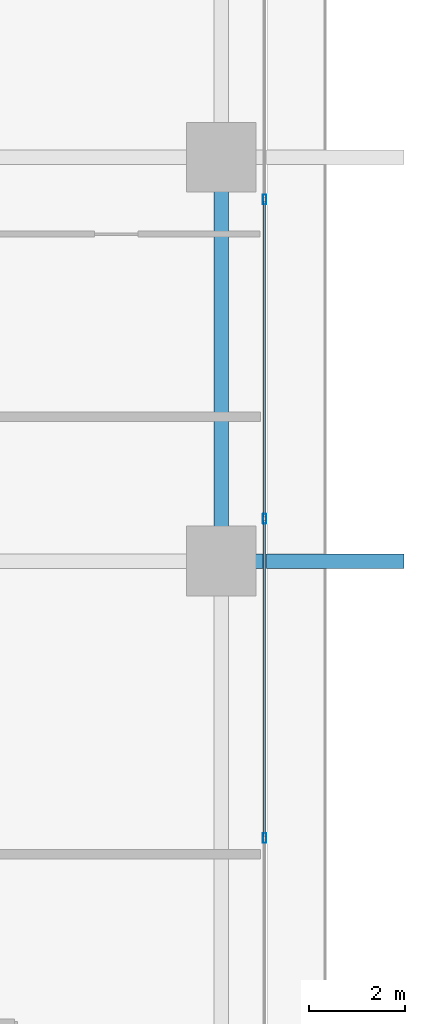
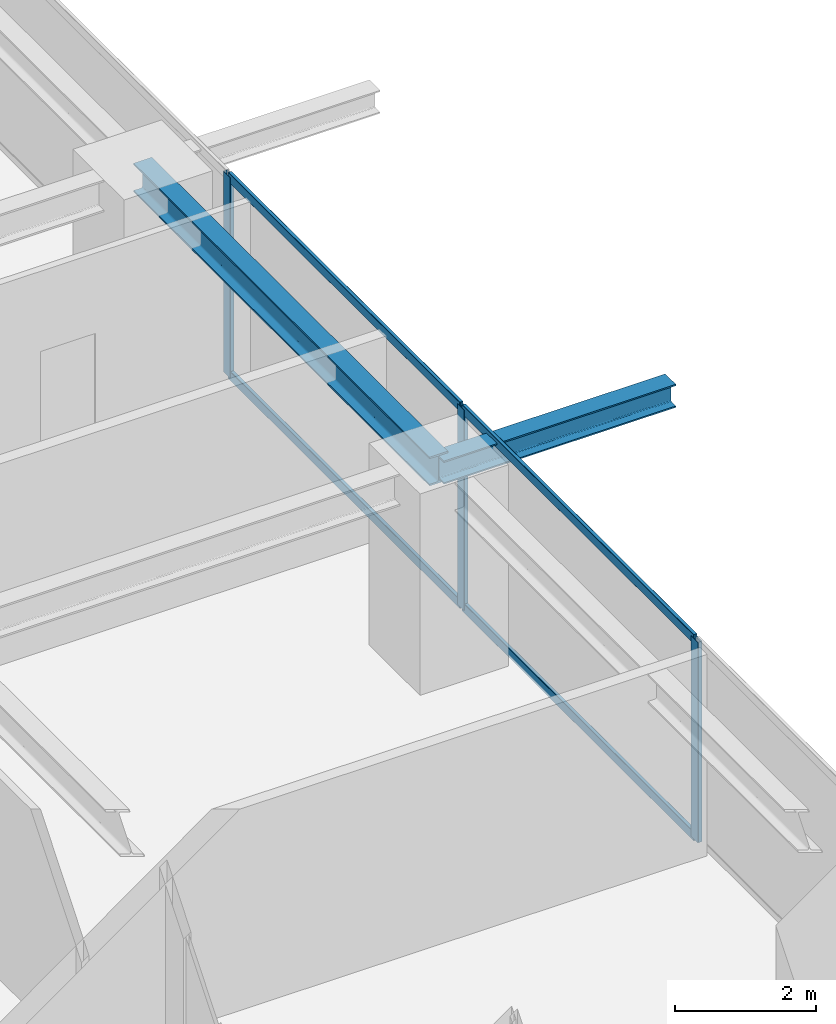
# One storey, part 14 of 39: 7 members, 2 beams, 1 element without a shape of its own.
"""IFC4 building model written with IfcOpenShell, lengths in metres."""

from ifc_helpers import new_model, si_unit, direction, frame, origin, origin_2d, place, context, subcontext, project, spatial, hollow_rectangle, i_section, extrude, source, transform, mapped, material, layer, layer_set, material_profile, profile_set, type_object, element, aggregate, save


model = new_model("IFC4")

# Units and contexts
model_context = context("Model", 3, precision=1e-05, world=origin(), true_north=direction((0.0, 1.0)))
body_context = subcontext(model_context, "Body", "Model", "MODEL_VIEW")
ifc_project = project(units=[si_unit("LENGTHUNIT", "METRE"), si_unit("AREAUNIT", "SQUARE_METRE"), si_unit("VOLUMEUNIT", "CUBIC_METRE"), si_unit("PLANEANGLEUNIT", "RADIAN"), si_unit("MASSUNIT", "GRAM", prefix="KILO")], contexts=[model_context])

# Site, building, storey
site_placement = place(None, origin())
site = spatial("IfcSite", under=ifc_project, at=site_placement, CompositionType="ELEMENT")
building_placement = place(site_placement, origin())
building = spatial("IfcBuilding", under=site, at=building_placement, Name="Serunith Strait Residences", CompositionType="ELEMENT")
storey_placement = place(building_placement, frame((0.0, 0.0, 60.449951171875)))
storey = spatial("IfcBuildingStorey", under=building, at=storey_placement, Name="L14", CompositionType="ELEMENT", Elevation=60.449951171875)

# Beams
ifc_material_1 = material(Name="Steel S355J2", Category="steel")
ifc_material_profile_1 = material_profile(ifc_material_1, i_section(OverallWidth=0.300048828125, OverallDepth=0.5, WebThickness=0.014404296875, FlangeThickness=0.028076171875, FilletRadius=0.027099609375, at=origin_2d()), Name="HEB 500")
ifc_profile_set_1 = profile_set([ifc_material_profile_1], Name="Steel S355J2")
beam_type_1 = type_object("IfcBeamType", Name="BM-HEB500", PredefinedType="BEAM", material=ifc_profile_set_1)
shared_shape_1 = source(origin(), body_context, "Body", "SweptSolid", [
    extrude(i_section(OverallWidth=0.300048828125, OverallDepth=0.5, WebThickness=0.014404296875, FlangeThickness=0.028076171875, FilletRadius=0.027099609375, at=origin_2d()), origin(), (0.0, 0.0, 1.0), 8.39990234375),
])
beam_1_placement = place(storey_placement, frame((57.89990234375, 21.0, 3.237060546875), z_axis=(0.0, 1.0, 0.0), x_axis=(-1.0, 0.0, 0.0)))
element("IfcBeam", 1, at=beam_1_placement, inside=storey, type_object=beam_type_1, Name="L14 Perimeter Ring Beam 06", PredefinedType="BEAM", context=body_context, shape_type="MappedRepresentation", body=[
    mapped(shared_shape_1, transform((0.0, 0.0, 0.0), scale=1.0)),
])
ifc_material_profile_2 = material_profile(ifc_material_1, i_section(OverallWidth=0.300048828125, OverallDepth=0.39990234375, WebThickness=0.013427734375, FlangeThickness=0.02392578125, FilletRadius=0.027099609375, at=origin_2d()), Name="HEB 400")
ifc_profile_set_2 = profile_set([ifc_material_profile_2], Name="Steel S355J2")
beam_type_2 = type_object("IfcBeamType", Name="BM-HEB400", PredefinedType="BEAM", material=ifc_profile_set_2)
shared_shape_2 = source(origin(), body_context, "Body", "SweptSolid", [
    extrude(i_section(OverallWidth=0.300048828125, OverallDepth=0.39990234375, WebThickness=0.013427734375, FlangeThickness=0.02392578125, FilletRadius=0.027099609375, at=origin_2d()), origin(), (0.0, 0.0, 1.0), 3.800048828125),
])
beam_2_placement = place(storey_placement, frame((57.89990234375, 21.0, 3.257080078125), z_axis=(1.0, 0.0, 0.0), x_axis=(0.0, 1.0, 0.0)))
element("IfcBeam", 2, at=beam_2_placement, inside=storey, type_object=beam_type_2, Name="L15 Cantilevered Balcony Rib TC-E2", PredefinedType="BEAM", context=body_context, shape_type="MappedRepresentation", body=[
    mapped(shared_shape_2, transform((0.0, 0.0, 0.0), scale=1.0)),
])

# Curtain wall, members
ifc_material_2 = material(Name="Pale-Champagne Anodised Aluminium", Category="aluminium")
ifc_layer = layer(ifc_material_2, 0.199951171875, Name="Pale-Champagne Anodised Aluminium")
ifc_layer_set = layer_set([ifc_layer], Name="Pale-Champagne Anodised Aluminium")
curtain_wall_type = type_object("IfcCurtainWallType", Name="CW-SYS1", PredefinedType="NOTDEFINED", material=ifc_layer_set)
curtain_wall_placement = place(storey_placement, origin())
curtain_wall = element("IfcCurtainWall", 3, at=curtain_wall_placement, inside=storey, type_object=curtain_wall_type, Name="L14 E Unitised Fritted Curtain Wall", PredefinedType="NOTDEFINED")
ifc_material_profile_3 = material_profile(ifc_material_2, hollow_rectangle(XDim=0.070068359375, YDim=0.199951171875, WallThickness=0.00390625, InnerFilletRadius=0.006103515625, OuterFilletRadius=0.010009765625, at=origin_2d()), Name="ALU 200x70x4")
ifc_profile_set_3 = profile_set([ifc_material_profile_3], Name="Pale-Champagne Anodised Aluminium")
member_type_1 = type_object("IfcMemberType", Name="CW-SYS1-MULL", PredefinedType="MULLION", material=ifc_profile_set_3)
shared_shape_3 = source(origin(), body_context, "Body", "SweptSolid", [
    extrude(hollow_rectangle(XDim=0.070068359375, YDim=0.199951171875, WallThickness=0.00390625, InnerFilletRadius=0.006103515625, OuterFilletRadius=0.010009765625, at=origin_2d()), origin(), (0.0, 0.0, 1.0), 3.47509765625),
])
member_1_placement = place(storey_placement, frame((58.800048828125, 15.239990234375, 0.0), z_axis=(0.0, 0.0, 1.0), x_axis=(-1.0, 0.0, 0.0)))
member_1 = element("IfcMember", 4, at=member_1_placement, type_object=member_type_1, Name="CW-1 mullion 2", PredefinedType="MULLION", context=body_context, shape_type="MappedRepresentation", body=[
    mapped(shared_shape_3, transform((0.0, 0.0, 0.0), scale=1.0)),
])
member_2_placement = place(storey_placement, frame((58.800048828125, 21.8798828125, 0.0), z_axis=(0.0, 0.0, 1.0), x_axis=(-1.0, 0.0, 0.0)))
member_2 = element("IfcMember", 5, at=member_2_placement, type_object=member_type_1, Name="CW-1 mullion 3", PredefinedType="MULLION", context=body_context, shape_type="MappedRepresentation", body=[
    mapped(shared_shape_3, transform((0.0, 0.0, 0.0), scale=1.0)),
])
member_3_placement = place(storey_placement, frame((58.800048828125, 28.52001953125, 0.0), z_axis=(0.0, 0.0, 1.0), x_axis=(-1.0, 0.0, 0.0)))
member_3 = element("IfcMember", 6, at=member_3_placement, type_object=member_type_1, Name="CW-1 mullion 4", PredefinedType="MULLION", context=body_context, shape_type="MappedRepresentation", body=[
    mapped(shared_shape_3, transform((0.0, 0.0, 0.0), scale=1.0)),
])
ifc_material_profile_4 = material_profile(ifc_material_2, hollow_rectangle(XDim=0.06005859375, YDim=0.159912109375, WallThickness=0.00341796875, InnerFilletRadius=0.00537109375, OuterFilletRadius=0.0087890625, at=origin_2d()), Name="ALU 160x60x3.5")
ifc_profile_set_4 = profile_set([ifc_material_profile_4], Name="Pale-Champagne Anodised Aluminium")
member_type_2 = type_object("IfcMemberType", Name="CW-SYS1-TRAN", PredefinedType="USERDEFINED", material=ifc_profile_set_4)
shared_shape_4 = source(origin(), body_context, "Body", "SweptSolid", [
    extrude(hollow_rectangle(XDim=0.06005859375, YDim=0.159912109375, WallThickness=0.00341796875, InnerFilletRadius=0.00537109375, OuterFilletRadius=0.0087890625, at=origin_2d()), origin(), (0.0, 0.0, 1.0), 6.570068359375),
])
member_4_placement = place(storey_placement, frame((58.800048828125, 15.27490234375, 0.030029296875), z_axis=(0.0, 1.0, 0.0), x_axis=(-1.0, 0.0, 0.0)))
member_4 = element("IfcMember", 7, at=member_4_placement, type_object=member_type_2, Name="CW-1 transom 2.1", ObjectType="TRANSOM", PredefinedType="USERDEFINED", context=body_context, shape_type="MappedRepresentation", body=[
    mapped(shared_shape_4, transform((0.0, 0.0, 0.0), scale=1.0)),
])
member_5_placement = place(storey_placement, frame((58.800048828125, 15.27490234375, 3.445068359375), z_axis=(0.0, 1.0, 0.0), x_axis=(-1.0, 0.0, 0.0)))
member_5 = element("IfcMember", 8, at=member_5_placement, type_object=member_type_2, Name="CW-1 transom 2.2", ObjectType="TRANSOM", PredefinedType="USERDEFINED", context=body_context, shape_type="MappedRepresentation", body=[
    mapped(shared_shape_4, transform((0.0, 0.0, 0.0), scale=1.0)),
])
member_6_placement = place(storey_placement, frame((58.800048828125, 21.9150390625, 0.030029296875), z_axis=(0.0, 1.0, 0.0), x_axis=(-1.0, 0.0, 0.0)))
member_6 = element("IfcMember", 9, at=member_6_placement, type_object=member_type_2, Name="CW-1 transom 3.1", ObjectType="TRANSOM", PredefinedType="USERDEFINED", context=body_context, shape_type="MappedRepresentation", body=[
    mapped(shared_shape_4, transform((0.0, 0.0, 0.0), scale=1.0)),
])
member_7_placement = place(storey_placement, frame((58.800048828125, 21.9150390625, 3.445068359375), z_axis=(0.0, 1.0, 0.0), x_axis=(-1.0, 0.0, 0.0)))
member_7 = element("IfcMember", 10, at=member_7_placement, type_object=member_type_2, Name="CW-1 transom 3.2", ObjectType="TRANSOM", PredefinedType="USERDEFINED", context=body_context, shape_type="MappedRepresentation", body=[
    mapped(shared_shape_4, transform((0.0, 0.0, 0.0), scale=1.0)),
])
aggregate(curtain_wall, [member_1, member_2, member_3, member_4, member_5, member_6, member_7])

save(model, "model.ifc")
